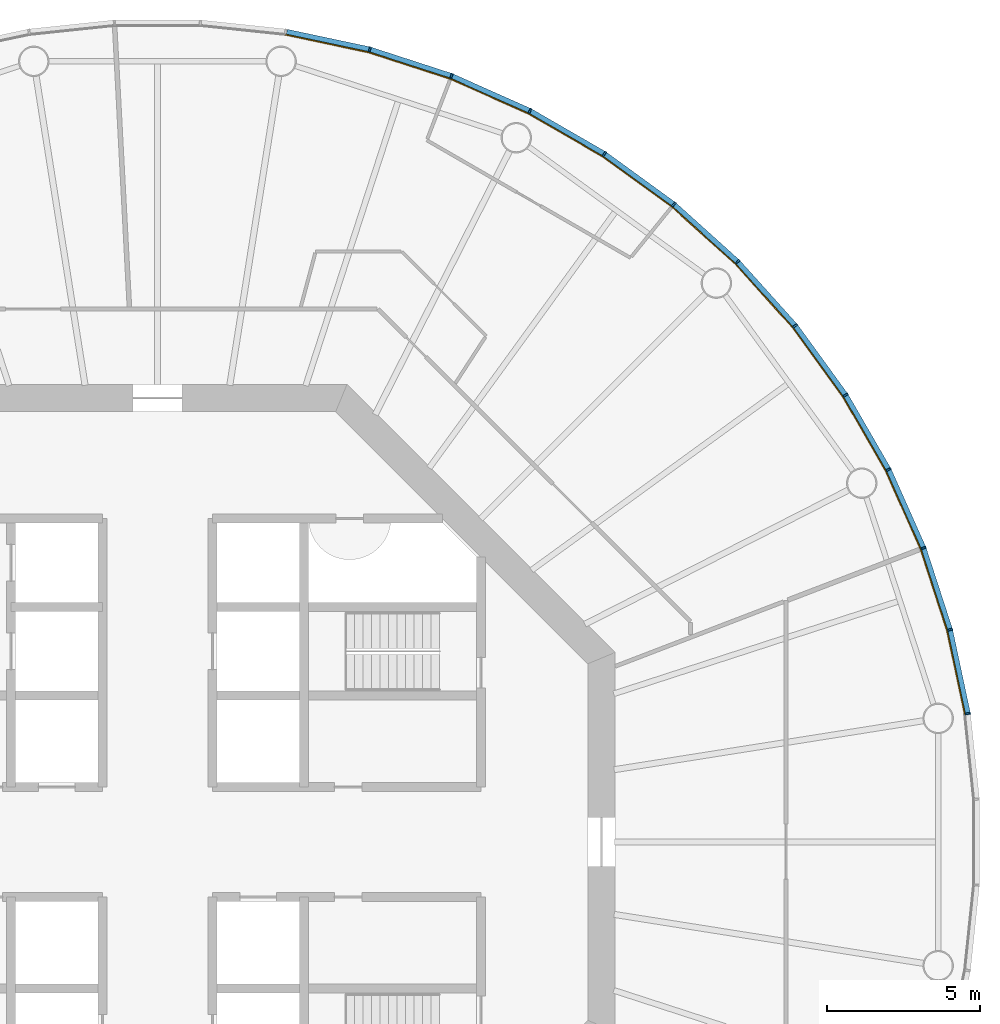
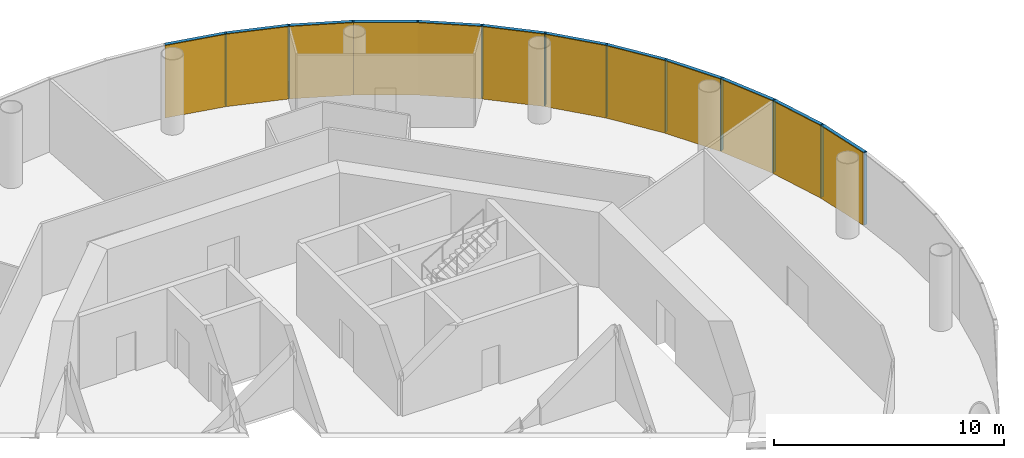
# One storey, part 11 of 12: 24 members, 4 curtain walls.
"""IFC4 building model written with IfcOpenShell, lengths in metres."""

from ifc_helpers import new_model, si_unit, direction, frame, origin, origin_2d, place, context, subcontext, project, spatial, polyline, rectangle, outline, extrude, material, layer, layer_set, material_profile, profile_set, type_object, element, aggregate, save


model = new_model("IFC4")

# Units and contexts
model_context = context("Model", 3, precision=1e-05, world=origin(), true_north=direction((0.0, 1.0)))
body_context = subcontext(model_context, "Body", "Model", "MODEL_VIEW")
ifc_project = project(units=[si_unit("LENGTHUNIT", "METRE"), si_unit("AREAUNIT", "SQUARE_METRE"), si_unit("VOLUMEUNIT", "CUBIC_METRE"), si_unit("PLANEANGLEUNIT", "RADIAN"), si_unit("MASSUNIT", "GRAM", prefix="KILO")], contexts=[model_context])

# Member
ifc_material_1 = material(Name="Anodised aluminium", Category="aluminium")
ifc_material_profile_1 = material_profile(ifc_material_1, rectangle(XDim=0.06005859375, YDim=0.169921875, at=origin_2d()), Name="Mullion 60 x 170 mm anodised aluminium")
ifc_profile_set_1 = profile_set([ifc_material_profile_1], Name="Anodised aluminium")
member_type_1 = type_object("IfcMemberType", Name="Mullion 60 x 170 mm anodised aluminium", PredefinedType="MULLION", material=ifc_profile_set_1)
site_placement = place(None, origin())
building_placement = place(site_placement, origin())
storey_placement = place(building_placement, frame((0.0, 0.0, 242.0)))
member_1_placement = place(storey_placement, frame((116.553955078125, 84.205810546875, 0.0), z_axis=(0.0, 0.0, 1.0), x_axis=(-0.15643446504, 0.987688340595, 0.0)))
member_1 = element("IfcMember", 1, at=member_1_placement, type_object=member_type_1, Name="MULLION L55-00", PredefinedType="MULLION", context=body_context, shape_type="SweptSolid", body=[
    extrude(rectangle(XDim=0.06005859375, YDim=0.169921875, at=origin_2d()), origin(), (0.0, 0.0, 1.0), 3.85009765625),
])

member_2_placement = place(storey_placement, frame((115.968994140625, 86.958251953125, 0.0), z_axis=(0.0, 0.0, 1.0), x_axis=(-0.258819045103, 0.965925826289, 0.0)))
member_2 = element("IfcMember", 2, at=member_2_placement, type_object=member_type_1, Name="MULLION L55-01", PredefinedType="MULLION", context=body_context, shape_type="SweptSolid", body=[
    extrude(rectangle(XDim=0.06005859375, YDim=0.169921875, at=origin_2d()), origin(), (0.0, 0.0, 1.0), 3.85009765625),
])

member_3_placement = place(storey_placement, frame((115.099365234375, 89.634765625, 0.0), z_axis=(0.0, 0.0, 1.0), x_axis=(-0.358367949545, 0.933580426497, 0.0)))
member_3 = element("IfcMember", 3, at=member_3_placement, type_object=member_type_1, Name="MULLION L55-02", PredefinedType="MULLION", context=body_context, shape_type="SweptSolid", body=[
    extrude(rectangle(XDim=0.06005859375, YDim=0.169921875, at=origin_2d()), origin(), (0.0, 0.0, 1.0), 3.85009765625),
])

member_4_placement = place(storey_placement, frame((113.95458984375, 92.20556640625, 0.0), z_axis=(0.0, 0.0, 1.0), x_axis=(-0.45399049974, 0.891006524188, 0.0)))
member_4 = element("IfcMember", 4, at=member_4_placement, type_object=member_type_1, Name="MULLION L55-03", PredefinedType="MULLION", context=body_context, shape_type="SweptSolid", body=[
    extrude(rectangle(XDim=0.06005859375, YDim=0.169921875, at=origin_2d()), origin(), (0.0, 0.0, 1.0), 3.85009765625),
])

member_5_placement = place(storey_placement, frame((112.547607421875, 94.642578125, 0.0), z_axis=(0.0, 0.0, 1.0), x_axis=(-0.544639035015, 0.838670567945, 0.0)))
member_5 = element("IfcMember", 5, at=member_5_placement, type_object=member_type_1, Name="MULLION L55-04", PredefinedType="MULLION", context=body_context, shape_type="SweptSolid", body=[
    extrude(rectangle(XDim=0.06005859375, YDim=0.169921875, at=origin_2d()), origin(), (0.0, 0.0, 1.0), 3.85009765625),
])

member_6_placement = place(storey_placement, frame((110.8935546875, 96.919189453125, 0.0), z_axis=(0.0, 0.0, 1.0), x_axis=(-0.62932039105, 0.777145961457, 0.0)))
member_6 = element("IfcMember", 6, at=member_6_placement, type_object=member_type_1, Name="MULLION L55-05", PredefinedType="MULLION", context=body_context, shape_type="SweptSolid", body=[
    extrude(rectangle(XDim=0.06005859375, YDim=0.169921875, at=origin_2d()), origin(), (0.0, 0.0, 1.0), 3.85009765625),
])

member_7_placement = place(storey_placement, frame((109.010498046875, 99.010498046875, 0.0), z_axis=(0.0, 0.0, 1.0), x_axis=(-0.707106781187, 0.707106781187, 0.0)))
member_7 = element("IfcMember", 7, at=member_7_placement, type_object=member_type_1, Name="MULLION L55-06", PredefinedType="MULLION", context=body_context, shape_type="SweptSolid", body=[
    extrude(rectangle(XDim=0.06005859375, YDim=0.169921875, at=origin_2d()), origin(), (0.0, 0.0, 1.0), 3.85009765625),
])

member_8_placement = place(storey_placement, frame((106.919189453125, 100.8935546875, 0.0), z_axis=(0.0, 0.0, 1.0), x_axis=(-0.777145961457, 0.62932039105, 0.0)))
member_8 = element("IfcMember", 8, at=member_8_placement, type_object=member_type_1, Name="MULLION L55-07", PredefinedType="MULLION", context=body_context, shape_type="SweptSolid", body=[
    extrude(rectangle(XDim=0.06005859375, YDim=0.169921875, at=origin_2d()), origin(), (0.0, 0.0, 1.0), 3.85009765625),
])

member_9_placement = place(storey_placement, frame((104.642578125, 102.547607421875, 0.0), z_axis=(0.0, 0.0, 1.0), x_axis=(-0.838670567945, 0.544639035015, 0.0)))
member_9 = element("IfcMember", 9, at=member_9_placement, type_object=member_type_1, Name="MULLION L55-08", PredefinedType="MULLION", context=body_context, shape_type="SweptSolid", body=[
    extrude(rectangle(XDim=0.06005859375, YDim=0.169921875, at=origin_2d()), origin(), (0.0, 0.0, 1.0), 3.85009765625),
])

member_10_placement = place(storey_placement, frame((102.20556640625, 103.95458984375, 0.0), z_axis=(0.0, 0.0, 1.0), x_axis=(-0.891006524188, 0.45399049974, 0.0)))
member_10 = element("IfcMember", 10, at=member_10_placement, type_object=member_type_1, Name="MULLION L55-09", PredefinedType="MULLION", context=body_context, shape_type="SweptSolid", body=[
    extrude(rectangle(XDim=0.06005859375, YDim=0.169921875, at=origin_2d()), origin(), (0.0, 0.0, 1.0), 3.85009765625),
])

member_11_placement = place(storey_placement, frame((99.634765625, 105.099365234375, 0.0), z_axis=(0.0, 0.0, 1.0), x_axis=(-0.933580426497, 0.358367949545, 0.0)))
member_11 = element("IfcMember", 11, at=member_11_placement, type_object=member_type_1, Name="MULLION L55-10", PredefinedType="MULLION", context=body_context, shape_type="SweptSolid", body=[
    extrude(rectangle(XDim=0.06005859375, YDim=0.169921875, at=origin_2d()), origin(), (0.0, 0.0, 1.0), 3.85009765625),
])

member_12_placement = place(storey_placement, frame((96.958251953125, 105.968994140625, 0.0), z_axis=(0.0, 0.0, 1.0), x_axis=(-0.965925826289, 0.258819045103, 0.0)))
member_12 = element("IfcMember", 12, at=member_12_placement, type_object=member_type_1, Name="MULLION L55-11", PredefinedType="MULLION", context=body_context, shape_type="SweptSolid", body=[
    extrude(rectangle(XDim=0.06005859375, YDim=0.169921875, at=origin_2d()), origin(), (0.0, 0.0, 1.0), 3.85009765625),
])

ifc_material_2 = material(Name="Anodised aluminium", Category="aluminium")
ifc_material_profile_2 = material_profile(ifc_material_2, rectangle(XDim=0.169921875, YDim=0.1650390625, at=origin_2d()), Name="Transom 165 x 170 mm anodised aluminium")
ifc_profile_set_2 = profile_set([ifc_material_profile_2], Name="Anodised aluminium")
member_type_2 = type_object("IfcMemberType", Name="Transom 165 x 170 mm anodised aluminium", PredefinedType="USERDEFINED", material=ifc_profile_set_2)
member_13_placement = place(storey_placement, frame((116.546875, 84.239501953125, 3.767578125), z_axis=(-0.207937468562, 0.97814212115, 0.0), x_axis=(-0.97814212115, -0.207937468562, 0.0)))
member_13 = element("IfcMember", 13, at=member_13_placement, type_object=member_type_2, Name="TRANSOM L55-00", ObjectType="TRANSOM", PredefinedType="USERDEFINED", context=body_context, shape_type="SweptSolid", body=[
    extrude(rectangle(XDim=0.169921875, YDim=0.1650390625, at=origin_2d()), origin(), (0.0, 0.0, 1.0), 2.7451171875),
])

member_14_placement = place(storey_placement, frame((115.95849609375, 86.9912109375, 3.767578125), z_axis=(-0.309041831781, 0.951048445774, 0.0), x_axis=(-0.951048445774, -0.309041831781, 0.0)))
member_14 = element("IfcMember", 14, at=member_14_placement, type_object=member_type_2, Name="TRANSOM L55-01", ObjectType="TRANSOM", PredefinedType="USERDEFINED", context=body_context, shape_type="SweptSolid", body=[
    extrude(rectangle(XDim=0.169921875, YDim=0.1650390625, at=origin_2d()), origin(), (0.0, 0.0, 1.0), 2.7451171875),
])

member_15_placement = place(storey_placement, frame((115.08544921875, 89.666259765625, 3.767578125), z_axis=(-0.406781987391, 0.913525267704, 0.0), x_axis=(-0.913525267704, -0.406781987391, 0.0)))
member_15 = element("IfcMember", 15, at=member_15_placement, type_object=member_type_2, Name="TRANSOM L55-02", ObjectType="TRANSOM", PredefinedType="USERDEFINED", context=body_context, shape_type="SweptSolid", body=[
    extrude(rectangle(XDim=0.169921875, YDim=0.1650390625, at=origin_2d()), origin(), (0.0, 0.0, 1.0), 2.7451171875),
])

member_16_placement = place(storey_placement, frame((113.9375, 92.2353515625, 3.767578125), z_axis=(-0.49998419723, 0.866034527326, 0.0), x_axis=(-0.866034527326, -0.49998419723, 0.0)))
member_16 = element("IfcMember", 16, at=member_16_placement, type_object=member_type_2, Name="TRANSOM L55-03", ObjectType="TRANSOM", PredefinedType="USERDEFINED", context=body_context, shape_type="SweptSolid", body=[
    extrude(rectangle(XDim=0.169921875, YDim=0.1650390625, at=origin_2d()), origin(), (0.0, 0.0, 1.0), 2.7451171875),
])

member_17_placement = place(storey_placement, frame((112.527587890625, 94.670654296875, 3.767578125), z_axis=(-0.587864947412, 0.808959086484, 0.0), x_axis=(-0.808959086484, -0.587864947412, 0.0)))
member_17 = element("IfcMember", 17, at=member_17_placement, type_object=member_type_2, Name="TRANSOM L55-04", ObjectType="TRANSOM", PredefinedType="USERDEFINED", context=body_context, shape_type="SweptSolid", body=[
    extrude(rectangle(XDim=0.169921875, YDim=0.1650390625, at=origin_2d()), origin(), (0.0, 0.0, 1.0), 2.7451171875),
])

member_18_placement = place(storey_placement, frame((110.87060546875, 96.945068359375, 3.767578125), z_axis=(-0.669141598561, 0.743134927907, 0.0), x_axis=(-0.743134927907, -0.669141598561, 0.0)))
member_18 = element("IfcMember", 18, at=member_18_placement, type_object=member_type_2, Name="TRANSOM L55-05", ObjectType="TRANSOM", PredefinedType="USERDEFINED", context=body_context, shape_type="SweptSolid", body=[
    extrude(rectangle(XDim=0.169921875, YDim=0.1650390625, at=origin_2d()), origin(), (0.0, 0.0, 1.0), 2.7451171875),
])

member_19_placement = place(storey_placement, frame((108.985107421875, 99.03369140625, 3.767578125), z_axis=(-0.743134927907, 0.669141598561, 0.0), x_axis=(-0.669141598561, -0.743134927907, 0.0)))
member_19 = element("IfcMember", 19, at=member_19_placement, type_object=member_type_2, Name="TRANSOM L55-06", ObjectType="TRANSOM", PredefinedType="USERDEFINED", context=body_context, shape_type="SweptSolid", body=[
    extrude(rectangle(XDim=0.169921875, YDim=0.1650390625, at=origin_2d()), origin(), (0.0, 0.0, 1.0), 2.7451171875),
])

member_20_placement = place(storey_placement, frame((106.891357421875, 100.913818359375, 3.767578125), z_axis=(-0.808959086484, 0.587864947412, 0.0), x_axis=(-0.587864947412, -0.808959086484, 0.0)))
member_20 = element("IfcMember", 20, at=member_20_placement, type_object=member_type_2, Name="TRANSOM L55-07", ObjectType="TRANSOM", PredefinedType="USERDEFINED", context=body_context, shape_type="SweptSolid", body=[
    extrude(rectangle(XDim=0.169921875, YDim=0.1650390625, at=origin_2d()), origin(), (0.0, 0.0, 1.0), 2.7451171875),
])

member_21_placement = place(storey_placement, frame((104.61279296875, 102.56494140625, 3.767578125), z_axis=(-0.866034527326, 0.49998419723, 0.0), x_axis=(-0.49998419723, -0.866034527326, 0.0)))
member_21 = element("IfcMember", 21, at=member_21_placement, type_object=member_type_2, Name="TRANSOM L55-08", ObjectType="TRANSOM", PredefinedType="USERDEFINED", context=body_context, shape_type="SweptSolid", body=[
    extrude(rectangle(XDim=0.169921875, YDim=0.1650390625, at=origin_2d()), origin(), (0.0, 0.0, 1.0), 2.7451171875),
])

member_22_placement = place(storey_placement, frame((102.174072265625, 103.96875, 3.767578125), z_axis=(-0.913525267704, 0.406781987391, 0.0), x_axis=(-0.406781987391, -0.913525267704, 0.0)))
member_22 = element("IfcMember", 22, at=member_22_placement, type_object=member_type_2, Name="TRANSOM L55-09", ObjectType="TRANSOM", PredefinedType="USERDEFINED", context=body_context, shape_type="SweptSolid", body=[
    extrude(rectangle(XDim=0.169921875, YDim=0.1650390625, at=origin_2d()), origin(), (0.0, 0.0, 1.0), 2.7451171875),
])

member_23_placement = place(storey_placement, frame((99.60205078125, 105.110107421875, 3.767578125), z_axis=(-0.951048445774, 0.309041831781, 0.0), x_axis=(-0.309041831781, -0.951048445774, 0.0)))
member_23 = element("IfcMember", 23, at=member_23_placement, type_object=member_type_2, Name="TRANSOM L55-10", ObjectType="TRANSOM", PredefinedType="USERDEFINED", context=body_context, shape_type="SweptSolid", body=[
    extrude(rectangle(XDim=0.169921875, YDim=0.1650390625, at=origin_2d()), origin(), (0.0, 0.0, 1.0), 2.7451171875),
])

member_24_placement = place(storey_placement, frame((96.924560546875, 105.97607421875, 3.767578125), z_axis=(-0.97814212115, 0.207937468562, 0.0), x_axis=(-0.207937468562, -0.97814212115, 0.0)))
member_24 = element("IfcMember", 24, at=member_24_placement, type_object=member_type_2, Name="TRANSOM L55-11", ObjectType="TRANSOM", PredefinedType="USERDEFINED", context=body_context, shape_type="SweptSolid", body=[
    extrude(rectangle(XDim=0.169921875, YDim=0.1650390625, at=origin_2d()), origin(), (0.0, 0.0, 1.0), 2.7451171875),
])

# Site, building, storey
site = spatial("IfcSite", under=ifc_project, at=site_placement, CompositionType="ELEMENT")
building = spatial("IfcBuilding", under=site, at=building_placement, Name="Entoto Ring Tower", CompositionType="ELEMENT")
storey = spatial("IfcBuildingStorey", under=building, at=storey_placement, Name="L55", CompositionType="ELEMENT", Elevation=242.0)

# Curtain wall
ifc_material_3 = material(Name="Clear low-iron glass", Category="glass")
ifc_layer = layer(ifc_material_3, 0.031982421875)
ifc_layer_set = layer_set([ifc_layer], Name="Clear low-iron glass")
curtain_wall_type = type_object("IfcCurtainWallType", Name="Curtain wall system CW4 glazing 32 mm", PredefinedType="NOTDEFINED", material=ifc_layer_set)
curtain_wall_1_placement = place(storey_placement, origin())
curtain_wall_1 = element("IfcCurtainWall", 25, at=curtain_wall_1_placement, inside=storey, type_object=curtain_wall_type, Name="CW4 L55-01", PredefinedType="NOTDEFINED", context=body_context, shape_type="SweptSolid", body=[
    extrude(outline(polyline([(116.469970703125, 84.1923828125), (115.88671875, 86.936279296875), (115.02001953125, 89.604248046875), (113.87890625, 92.1669921875), (113.850341796875, 92.15234375), (114.989990234375, 89.5927734375), (115.85595703125, 86.927978515625), (116.4384765625, 84.1875), (116.469970703125, 84.1923828125)])), origin(), (0.0, 0.0, 1.0), 3.85009765625),
])

aggregate(curtain_wall_1, [member_1, member_2, member_3, member_13, member_14, member_15])

curtain_wall_2_placement = place(storey_placement, origin())
curtain_wall_2 = element("IfcCurtainWall", 26, at=curtain_wall_2_placement, inside=storey, type_object=curtain_wall_type, Name="CW4 L55-02", PredefinedType="NOTDEFINED", context=body_context, shape_type="SweptSolid", body=[
    extrude(outline(polyline([(113.87890625, 92.1669921875), (112.476318359375, 94.596435546875), (110.827392578125, 96.86572265625), (108.950439453125, 98.950439453125), (108.927734375, 98.927734375), (110.802490234375, 96.845703125), (112.449462890625, 94.578857421875), (113.850341796875, 92.15234375), (113.87890625, 92.1669921875)])), origin(), (0.0, 0.0, 1.0), 3.85009765625),
])

aggregate(curtain_wall_2, [member_4, member_5, member_6, member_16, member_17, member_18])

curtain_wall_3_placement = place(storey_placement, origin())
curtain_wall_3 = element("IfcCurtainWall", 27, at=curtain_wall_3_placement, inside=storey, type_object=curtain_wall_type, Name="CW4 L55-03", PredefinedType="NOTDEFINED", context=body_context, shape_type="SweptSolid", body=[
    extrude(outline(polyline([(108.950439453125, 98.950439453125), (106.86572265625, 100.827392578125), (104.596435546875, 102.476318359375), (102.1669921875, 103.87890625), (102.15234375, 103.850341796875), (104.578857421875, 102.449462890625), (106.845703125, 100.802490234375), (108.927734375, 98.927734375), (108.950439453125, 98.950439453125)])), origin(), (0.0, 0.0, 1.0), 3.85009765625),
])

aggregate(curtain_wall_3, [member_7, member_8, member_9, member_19, member_20, member_21])

curtain_wall_4_placement = place(storey_placement, origin())
curtain_wall_4 = element("IfcCurtainWall", 28, at=curtain_wall_4_placement, inside=storey, type_object=curtain_wall_type, Name="CW4 L55-04", PredefinedType="NOTDEFINED", context=body_context, shape_type="SweptSolid", body=[
    extrude(outline(polyline([(102.1669921875, 103.87890625), (99.604248046875, 105.02001953125), (96.936279296875, 105.88671875), (94.1923828125, 106.469970703125), (94.1875, 106.4384765625), (96.927978515625, 105.85595703125), (99.5927734375, 104.989990234375), (102.15234375, 103.850341796875), (102.1669921875, 103.87890625)])), origin(), (0.0, 0.0, 1.0), 3.85009765625),
])

aggregate(curtain_wall_4, [member_10, member_11, member_12, member_22, member_23, member_24])

save(model, "model.ifc")
